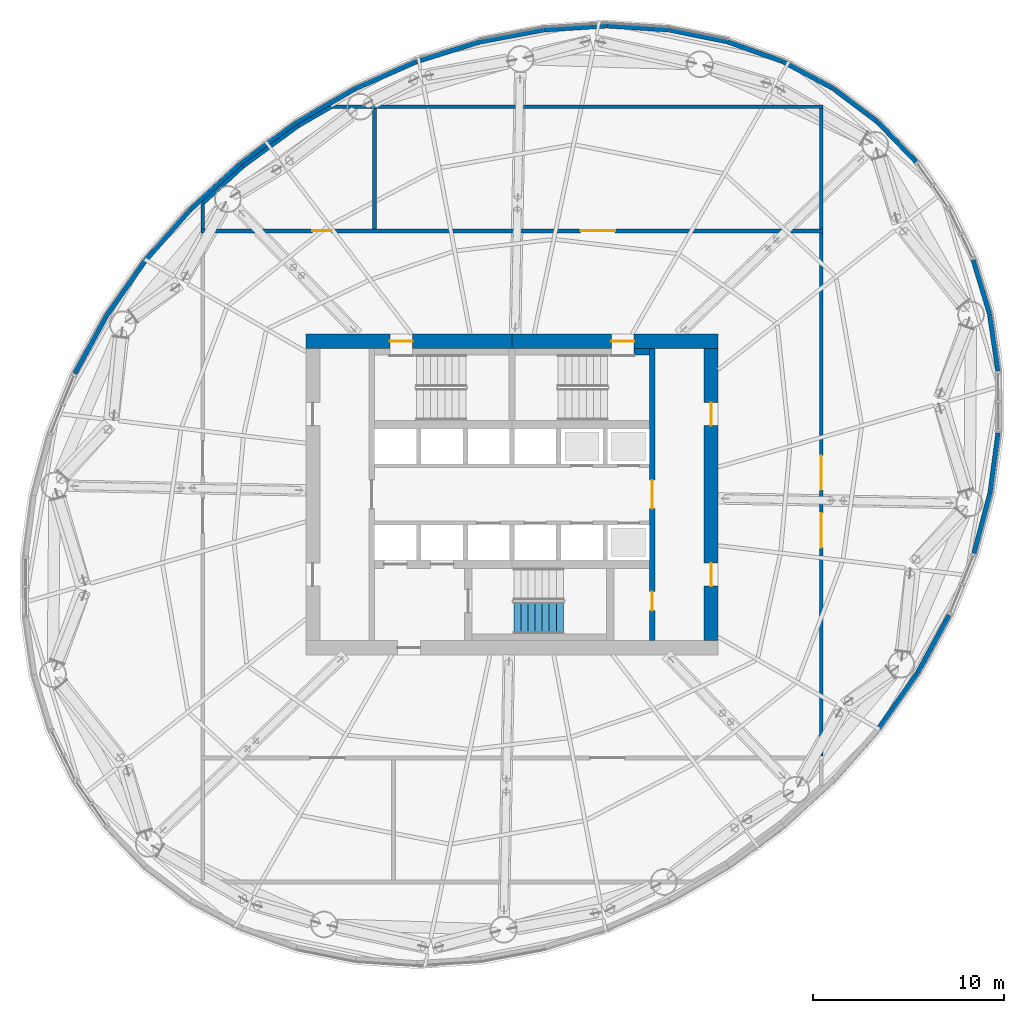
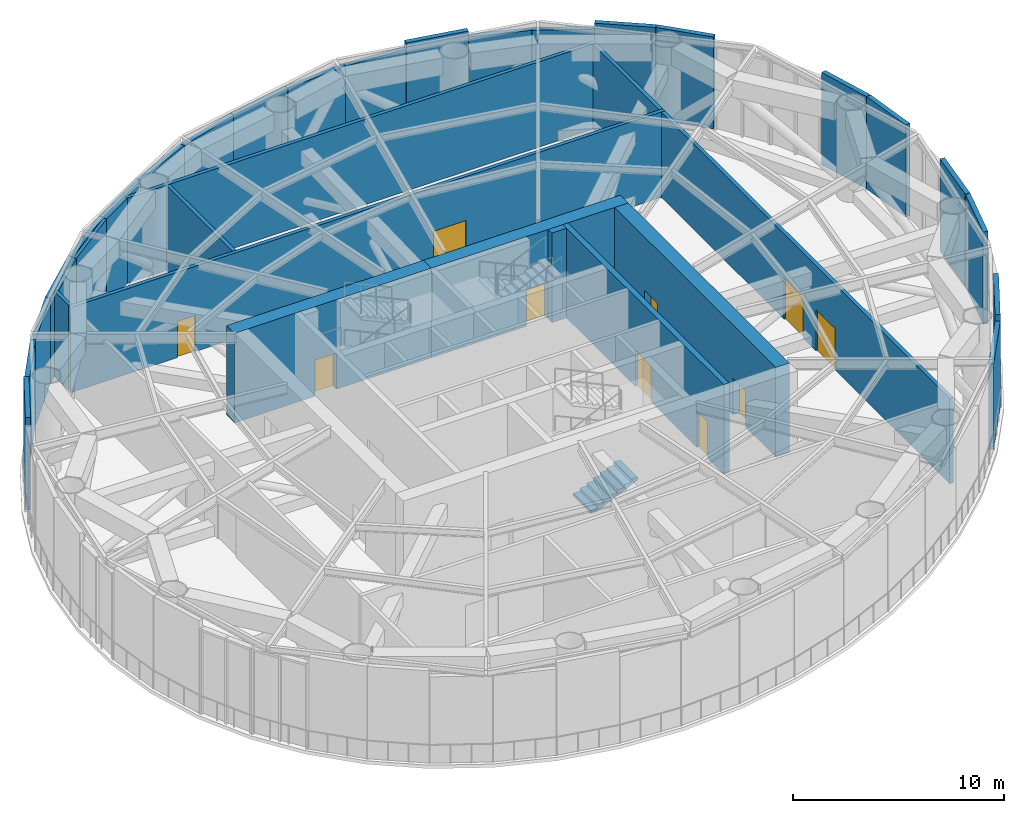
# One storey, part 9 of 19: 36 walls, 10 doors, 1 stair flight, 10 openings, 1 element without a shape of its own.
"""IFC4 building model written with IfcOpenShell, lengths in metres."""

from ifc_helpers import new_model, si_unit, direction, frame, frame_2d, origin, place, context, subcontext, project, spatial, polyline, rectangle, outline, extrude, material, layer, layer_set, type_object, element, fill, aggregate, save


model = new_model("IFC4")

# Units and contexts
model_context = context("Model", 3, precision=1e-05, world=origin(), true_north=direction((0.0, 1.0)))
body_context = subcontext(model_context, "Body", "Model", "MODEL_VIEW")
ifc_project = project(units=[si_unit("LENGTHUNIT", "METRE"), si_unit("AREAUNIT", "SQUARE_METRE"), si_unit("VOLUMEUNIT", "CUBIC_METRE"), si_unit("PLANEANGLEUNIT", "RADIAN"), si_unit("MASSUNIT", "GRAM", prefix="KILO")], contexts=[model_context])

# Site, building, storey
site_placement = place(None, origin())
site = spatial("IfcSite", under=ifc_project, at=site_placement, CompositionType="ELEMENT")
building_placement = place(site_placement, origin())
building = spatial("IfcBuilding", under=site, at=building_placement, Name="Vermilion Reach Broadcast Tower", CompositionType="ELEMENT")
storey_placement = place(building_placement, frame((0.0, 0.0, 190.199951171875)))
storey = spatial("IfcBuildingStorey", under=building, at=storey_placement, Name="L46", CompositionType="ELEMENT", Elevation=190.199951171875)

# Wall, openings, doors
ifc_material_1 = material(Name="Concrete C60", Category="concrete")
ifc_layer_1 = layer(ifc_material_1, 0.300048828125)
ifc_layer_set_1 = layer_set([ifc_layer_1], Name="Core inner wall 300 mm Concrete C60")
wall_type_1 = type_object("IfcWallType", Name="Core inner wall 300 mm Concrete C60", PredefinedType="SHEAR", material=ifc_layer_set_1)
wall_1_placement = place(storey_placement, frame((1.35009765625, -7.64990234375, 0.0), z_axis=(0.0, 0.0, 1.0), x_axis=(0.0, 1.0, 0.0)))
wall_1 = element("IfcWall", 1, at=wall_1_placement, inside=storey, type_object=wall_type_1, Name="L46 core wall ewE", PredefinedType="SHEAR", context=body_context, shape_type="SweptSolid", body=[
    extrude(rectangle(XDim=15.2998046875, YDim=0.300048828125, at=frame_2d((7.64990234375, 0.0))), origin(), (0.0, 0.0, 1.0), 5.199951171875),
])
opening_1_placement = place(wall_1_placement, frame((1.56005859375, 0.0, 0.0)))
opening_1 = element("IfcOpeningElement", 2, at=opening_1_placement, cuts=wall_1, Name="Opening D05", PredefinedType="OPENING", context=body_context, shape_type="SweptSolid", body=[
    extrude(rectangle(XDim=1.0, YDim=2.10009765625, at=frame_2d((0.5, 1.050048828125))), frame((0.0, 0.159912109375, 0.0), z_axis=(0.0, -1.0, 0.0), x_axis=(1.0, 0.0, 0.0)), (0.0, 0.0, 1.0), 0.320068359375),
])
opening_2_placement = place(wall_1_placement, frame((6.89990234375, 0.0, 0.0)))
opening_2 = element("IfcOpeningElement", 3, at=opening_2_placement, cuts=wall_1, Name="Opening D04", PredefinedType="OPENING", context=body_context, shape_type="SweptSolid", body=[
    extrude(rectangle(XDim=1.5, YDim=2.10009765625, at=frame_2d((0.75, 1.050048828125))), frame((0.0, 0.159912109375, 0.0), z_axis=(0.0, -1.0, 0.0), x_axis=(1.0, 0.0, 0.0)), (0.0, 0.0, 1.0), 0.320068359375),
])
ifc_material_2 = material(Name="Painted steel fire door", Category="steel")
door_type_1 = type_object("IfcDoorType", Name="Lift lobby door 1500 x 2100", OperationType="DOUBLE_DOOR_SINGLE_SWING", PredefinedType="NOTDEFINED", material=ifc_material_2)
door_1_placement = place(opening_2_placement, origin())
door_1 = element("IfcDoor", 4, at=door_1_placement, inside=storey, type_object=door_type_1, Name="L46 band door BE", OperationType="DOUBLE_DOOR_SINGLE_SWING", OverallHeight=2.10009765625, OverallWidth=1.5, PredefinedType="NOTDEFINED", context=body_context, shape_type="SweptSolid", body=[
    extrude(rectangle(XDim=1.5, YDim=2.10009765625, at=frame_2d((0.75, 1.050048828125))), frame((0.0, 0.02490234375, 0.0), z_axis=(0.0, -1.0, 0.0), x_axis=(1.0, 0.0, 0.0)), (0.0, 0.0, 1.0), 0.050048828125),
])
fill(opening_2, door_1)
ifc_material_3 = material(Name="Timber door", Category="wood")
door_type_2 = type_object("IfcDoorType", Name="Room door 1000 x 2100", OperationType="NOTDEFINED", PredefinedType="NOTDEFINED", material=ifc_material_3)
door_2_placement = place(opening_1_placement, origin())
door_2 = element("IfcDoor", 5, at=door_2_placement, inside=storey, type_object=door_type_2, Name="L46 door SER", OperationType="SINGLE_SWING_LEFT", OverallHeight=2.10009765625, OverallWidth=1.0, PredefinedType="NOTDEFINED", context=body_context, shape_type="SweptSolid", body=[
    extrude(rectangle(XDim=1.0, YDim=2.10009765625, at=frame_2d((0.5, 1.050048828125))), frame((0.0, 0.02490234375, 0.0), z_axis=(0.0, -1.0, 0.0), x_axis=(1.0, 0.0, 0.0)), (0.0, 0.0, 1.0), 0.050048828125),
])
fill(opening_1, door_2)

# Wall, opening, door
ifc_material_4 = material(Name="Concrete C60", Category="concrete")
ifc_layer_2 = layer(ifc_material_4, 0.75)
ifc_layer_set_2 = layer_set([ifc_layer_2], Name="Core outer wall 750 mm Concrete C60")
wall_type_2 = type_object("IfcWallType", Name="Core outer wall 750 mm Concrete C60", PredefinedType="SHEAR", material=ifc_layer_set_2)
wall_2_placement = place(storey_placement, frame((4.800048828125, 8.02490234375, 0.0), z_axis=(0.0, 0.0, 1.0), x_axis=(-1.0, 0.0, 0.0)))
wall_2 = element("IfcWall", 6, at=wall_2_placement, inside=storey, type_object=wall_type_2, Name="L46 core wall onE", PredefinedType="SHEAR", context=body_context, shape_type="SweptSolid", body=[
    extrude(rectangle(XDim=10.800048828125, YDim=0.75, at=frame_2d((5.39990234375, 0.0))), origin(), (0.0, 0.0, 1.0), 5.199951171875),
])
opening_3_placement = place(wall_2_placement, frame((4.39990234375, 0.0, 0.0)))
opening_3 = element("IfcOpeningElement", 7, at=opening_3_placement, cuts=wall_2, Name="Opening D01", PredefinedType="OPENING", context=body_context, shape_type="SweptSolid", body=[
    extrude(rectangle(XDim=1.199951171875, YDim=2.10009765625, at=frame_2d((0.60009765625, 1.050048828125))), frame((0.0, 0.385009765625, 0.0), z_axis=(0.0, -1.0, 0.0), x_axis=(1.0, 0.0, 0.0)), (0.0, 0.0, 1.0), 0.77001953125),
])
ifc_material_5 = material(Name="Painted steel fire door", Category="steel")
door_type_3 = type_object("IfcDoorType", Name="Stair door 1200 x 2100", OperationType="DOUBLE_DOOR_SINGLE_SWING", PredefinedType="NOTDEFINED", material=ifc_material_5)
door_3_placement = place(opening_3_placement, origin())
door_3 = element("IfcDoor", 8, at=door_3_placement, inside=storey, type_object=door_type_3, Name="L46 stair door ST2", OperationType="DOUBLE_DOOR_SINGLE_SWING", OverallHeight=2.10009765625, OverallWidth=1.199951171875, PredefinedType="NOTDEFINED", context=body_context, shape_type="SweptSolid", body=[
    extrude(rectangle(XDim=1.199951171875, YDim=2.10009765625, at=frame_2d((0.60009765625, 1.050048828125))), frame((0.0, 0.02490234375, 0.0), z_axis=(0.0, -1.0, 0.0), x_axis=(1.0, 0.0, 0.0)), (0.0, 0.0, 1.0), 0.050048828125),
])
fill(opening_3, door_3)

wall_3_placement = place(storey_placement, frame((-6.0, 8.02490234375, 0.0), z_axis=(0.0, 0.0, 1.0), x_axis=(-1.0, 0.0, 0.0)))
wall_3 = element("IfcWall", 9, at=wall_3_placement, inside=storey, type_object=wall_type_2, Name="L46 core wall onW", PredefinedType="SHEAR", context=body_context, shape_type="SweptSolid", body=[
    extrude(rectangle(XDim=10.800048828125, YDim=0.75, at=frame_2d((5.39990234375, 0.0))), origin(), (0.0, 0.0, 1.0), 5.199951171875),
])
opening_4_placement = place(wall_3_placement, frame((5.199951171875, 0.0, 0.0)))
opening_4 = element("IfcOpeningElement", 10, at=opening_4_placement, cuts=wall_3, Name="Opening D01", PredefinedType="OPENING", context=body_context, shape_type="SweptSolid", body=[
    extrude(rectangle(XDim=1.199951171875, YDim=2.10009765625, at=frame_2d((0.60009765625, 1.050048828125))), frame((0.0, 0.385009765625, 0.0), z_axis=(0.0, -1.0, 0.0), x_axis=(1.0, 0.0, 0.0)), (0.0, 0.0, 1.0), 0.77001953125),
])
door_4_placement = place(opening_4_placement, origin())
door_4 = element("IfcDoor", 11, at=door_4_placement, inside=storey, type_object=door_type_3, Name="L46 stair door ST1", OperationType="DOUBLE_DOOR_SINGLE_SWING", OverallHeight=2.10009765625, OverallWidth=1.199951171875, PredefinedType="NOTDEFINED", context=body_context, shape_type="SweptSolid", body=[
    extrude(rectangle(XDim=1.199951171875, YDim=2.10009765625, at=frame_2d((0.60009765625, 1.050048828125))), frame((0.0, 0.02490234375, 0.0), z_axis=(0.0, -1.0, 0.0), x_axis=(1.0, 0.0, 0.0)), (0.0, 0.0, 1.0), 0.050048828125),
])
fill(opening_4, door_4)

# Wall, openings, doors
wall_4_placement = place(storey_placement, frame((4.425048828125, -7.64990234375, 0.0), z_axis=(0.0, 0.0, 1.0), x_axis=(0.0, 1.0, 0.0)))
wall_4 = element("IfcWall", 12, at=wall_4_placement, inside=storey, type_object=wall_type_2, Name="L46 core wall oe", PredefinedType="SHEAR", context=body_context, shape_type="SweptSolid", body=[
    extrude(rectangle(XDim=15.2998046875, YDim=0.75, at=frame_2d((7.64990234375, 0.0))), origin(), (0.0, 0.0, 1.0), 5.199951171875),
])
opening_5_placement = place(wall_4_placement, frame((2.85009765625, 0.0, 0.0)))
opening_5 = element("IfcOpeningElement", 13, at=opening_5_placement, cuts=wall_4, Name="Opening D03", PredefinedType="OPENING", context=body_context, shape_type="SweptSolid", body=[
    extrude(rectangle(XDim=1.199951171875, YDim=2.10009765625, at=frame_2d((0.60009765625, 1.050048828125))), frame((0.0, 0.385009765625, 0.0), z_axis=(0.0, -1.0, 0.0), x_axis=(1.0, 0.0, 0.0)), (0.0, 0.0, 1.0), 0.77001953125),
])
opening_6_placement = place(wall_4_placement, frame((11.25, 0.0, 0.0)))
opening_6 = element("IfcOpeningElement", 14, at=opening_6_placement, cuts=wall_4, Name="Opening D03", PredefinedType="OPENING", context=body_context, shape_type="SweptSolid", body=[
    extrude(rectangle(XDim=1.199951171875, YDim=2.10009765625, at=frame_2d((0.60009765625, 1.050048828125))), frame((0.0, 0.385009765625, 0.0), z_axis=(0.0, -1.0, 0.0), x_axis=(1.0, 0.0, 0.0)), (0.0, 0.0, 1.0), 0.77001953125),
])
ifc_material_6 = material(Name="Painted steel fire door", Category="steel")
door_type_4 = type_object("IfcDoorType", Name="Core lobby door 1200 x 2100", OperationType="DOUBLE_DOOR_SINGLE_SWING", PredefinedType="NOTDEFINED", material=ifc_material_6)
door_5_placement = place(opening_5_placement, origin())
door_5 = element("IfcDoor", 15, at=door_5_placement, inside=storey, type_object=door_type_4, Name="L46 slot door E0", OperationType="DOUBLE_DOOR_SINGLE_SWING", OverallHeight=2.10009765625, OverallWidth=1.199951171875, PredefinedType="NOTDEFINED", context=body_context, shape_type="SweptSolid", body=[
    extrude(rectangle(XDim=1.199951171875, YDim=2.10009765625, at=frame_2d((0.60009765625, 1.050048828125))), frame((0.0, 0.02490234375, 0.0), z_axis=(0.0, -1.0, 0.0), x_axis=(1.0, 0.0, 0.0)), (0.0, 0.0, 1.0), 0.050048828125),
])
fill(opening_5, door_5)
door_6_placement = place(opening_6_placement, origin())
door_6 = element("IfcDoor", 16, at=door_6_placement, inside=storey, type_object=door_type_4, Name="L46 slot door E1", OperationType="DOUBLE_DOOR_SINGLE_SWING", OverallHeight=2.10009765625, OverallWidth=1.199951171875, PredefinedType="NOTDEFINED", context=body_context, shape_type="SweptSolid", body=[
    extrude(rectangle(XDim=1.199951171875, YDim=2.10009765625, at=frame_2d((0.60009765625, 1.050048828125))), frame((0.0, 0.02490234375, 0.0), z_axis=(0.0, -1.0, 0.0), x_axis=(1.0, 0.0, 0.0)), (0.0, 0.0, 1.0), 0.050048828125),
])
fill(opening_6, door_6)

# Wall
ifc_material_7 = material(Name="Concrete C60", Category="concrete")
ifc_layer_3 = layer(ifc_material_7, 0.35009765625)
ifc_layer_set_3 = layer_set([ifc_layer_3], Name="Core stair wall 350 mm Concrete C60")
wall_type_3 = type_object("IfcWallType", Name="Core stair wall 350 mm Concrete C60", PredefinedType="SHEAR", material=ifc_layer_set_3)
wall_5_placement = place(storey_placement, frame((0.39990234375, 7.47509765625, 0.0), z_axis=(0.0, 0.0, 1.0), x_axis=(1.0, 0.0, 0.0)))
element("IfcWall", 17, at=wall_5_placement, inside=storey, type_object=wall_type_3, Name="L46 core wall l2b", PredefinedType="SHEAR", context=body_context, shape_type="SweptSolid", body=[
    extrude(rectangle(XDim=0.800048828125, YDim=0.35009765625, at=frame_2d((0.39990234375, 0.0))), origin(), (0.0, 0.0, 1.0), 5.199951171875),
])

# Wall, openings, doors
ifc_material_8 = material(Name="Gypsum board shaft wall")
ifc_layer_4 = layer(ifc_material_8, 0.199951171875)
ifc_layer_set_4 = layer_set([ifc_layer_4], Name="Plant room wall 200")
wall_type_4 = type_object("IfcWallType", Name="Plant room wall 200", PredefinedType="PARTITIONING", material=ifc_layer_set_4)
wall_6_placement = place(storey_placement, frame((10.300048828125, 13.800048828125, 0.0), z_axis=(0.0, 0.0, 1.0), x_axis=(-1.0, 0.0, 0.0)))
wall_6 = element("IfcWall", 18, at=wall_6_placement, inside=storey, type_object=wall_type_4, Name="sp.wall.L46.000", PredefinedType="PARTITIONING", context=body_context, shape_type="SweptSolid", body=[
    extrude(rectangle(XDim=32.60009765625, YDim=0.199951171875, at=frame_2d((16.300048828125, 0.0))), origin(), (0.0, 0.0, 1.0), 4.949951171875),
])
opening_7_placement = place(wall_6_placement, frame((25.749755859375, 0.0, 0.0)))
opening_7 = element("IfcOpeningElement", 19, at=opening_7_placement, cuts=wall_6, Name="Opening D54", PredefinedType="OPENING", context=body_context, shape_type="SweptSolid", body=[
    extrude(rectangle(XDim=1.0, YDim=2.10009765625, at=frame_2d((0.5, 1.050048828125))), frame((0.0, 0.10986328125, 0.0), z_axis=(0.0, -1.0, 0.0), x_axis=(1.0, 0.0, 0.0)), (0.0, 0.0, 1.0), 0.219970703125),
])
opening_8_placement = place(wall_6_placement, frame((10.900146484375, 0.0, 0.0)))
opening_8 = element("IfcOpeningElement", 20, at=opening_8_placement, cuts=wall_6, Name="Opening D53", PredefinedType="OPENING", context=body_context, shape_type="SweptSolid", body=[
    extrude(rectangle(XDim=1.800048828125, YDim=2.39990234375, at=frame_2d((0.89990234375, 1.199951171875))), frame((0.0, 0.10986328125, 0.0), z_axis=(0.0, -1.0, 0.0), x_axis=(1.0, 0.0, 0.0)), (0.0, 0.0, 1.0), 0.219970703125),
])
ifc_material_9 = material(Name="Timber and steel door set", Category="steel")
door_type_5 = type_object("IfcDoorType", Name="Fire door 1000x2100", OperationType="NOTDEFINED", PredefinedType="DOOR", material=ifc_material_9)
door_7_placement = place(opening_7_placement, origin())
door_7 = element("IfcDoor", 21, at=door_7_placement, inside=storey, type_object=door_type_5, Name="sp.door.L46.000", OperationType="SINGLE_SWING_LEFT", OverallHeight=2.10009765625, OverallWidth=1.0, PredefinedType="DOOR", context=body_context, shape_type="SweptSolid", body=[
    extrude(rectangle(XDim=1.0, YDim=2.10009765625, at=frame_2d((0.5, 1.050048828125))), frame((0.0, 0.02490234375, 0.0), z_axis=(0.0, -1.0, 0.0), x_axis=(1.0, 0.0, 0.0)), (0.0, 0.0, 1.0), 0.050048828125),
])
fill(opening_7, door_7)
ifc_material_10 = material(Name="Timber and steel door set", Category="steel")
door_type_6 = type_object("IfcDoorType", Name="Plant double door 1800x2400", OperationType="NOTDEFINED", PredefinedType="DOOR", material=ifc_material_10)
door_8_placement = place(opening_8_placement, origin())
door_8 = element("IfcDoor", 22, at=door_8_placement, inside=storey, type_object=door_type_6, Name="sp.door.L46.001", OperationType="DOUBLE_DOOR_SINGLE_SWING", OverallHeight=2.39990234375, OverallWidth=1.800048828125, PredefinedType="DOOR", context=body_context, shape_type="SweptSolid", body=[
    extrude(rectangle(XDim=1.800048828125, YDim=2.39990234375, at=frame_2d((0.89990234375, 1.199951171875))), frame((0.0, 0.02490234375, 0.0), z_axis=(0.0, -1.0, 0.0), x_axis=(1.0, 0.0, 0.0)), (0.0, 0.0, 1.0), 0.050048828125),
])
fill(opening_8, door_8)

# Walls
wall_7_placement = place(storey_placement, frame((-13.199951171875, 13.89990234375, 0.0), z_axis=(0.0, 0.0, 1.0), x_axis=(0.0, 1.0, 0.0)))
element("IfcWall", 23, at=wall_7_placement, inside=storey, type_object=wall_type_4, Name="sp.wall.L46.004", PredefinedType="PARTITIONING", context=body_context, shape_type="SweptSolid", body=[
    extrude(rectangle(XDim=6.300048828125, YDim=0.199951171875, at=frame_2d((3.14990234375, 0.0))), origin(), (0.0, 0.0, 1.0), 4.949951171875),
])
wall_8_placement = place(storey_placement, frame((-15.452880859375, 20.300048828125, 0.0), z_axis=(0.0, 0.0, 1.0), x_axis=(1.0, 0.0, 0.0)))
element("IfcWall", 24, at=wall_8_placement, inside=storey, type_object=wall_type_4, Name="sp.wall.L46.005", PredefinedType="PARTITIONING", context=body_context, shape_type="SweptSolid", body=[
    extrude(rectangle(XDim=25.7529296875, YDim=0.199951171875, at=frame_2d((12.87646484375, 0.0))), origin(), (0.0, 0.0, 1.0), 4.949951171875),
])
wall_9_placement = place(storey_placement, frame((-22.199951171875, 13.89990234375, 0.0), z_axis=(0.0, 0.0, 1.0), x_axis=(0.0, 1.0, 0.0)))
element("IfcWall", 25, at=wall_9_placement, inside=storey, type_object=wall_type_4, Name="sp.wall.L46.007", PredefinedType="PARTITIONING", context=body_context, shape_type="SweptSolid", body=[
    extrude(rectangle(XDim=1.336669921875, YDim=0.199951171875, at=frame_2d((0.66845703125, 0.0))), origin(), (0.0, 0.0, 1.0), 4.949951171875),
])
wall_10_placement = place(storey_placement, frame((10.199951171875, 13.89990234375, 0.0), z_axis=(0.0, 0.0, 1.0), x_axis=(0.0, 1.0, 0.0)))
element("IfcWall", 26, at=wall_10_placement, inside=storey, type_object=wall_type_4, Name="sp.wall.L46.009", PredefinedType="PARTITIONING", context=body_context, shape_type="SweptSolid", body=[
    extrude(rectangle(XDim=6.300048828125, YDim=0.199951171875, at=frame_2d((3.14990234375, 0.0))), origin(), (0.0, 0.0, 1.0), 4.949951171875),
])
wall_11_placement = place(storey_placement, frame((-22.185302734375, 15.25, 0.0), z_axis=(0.0, 0.0, 1.0), x_axis=(0.738075353994, 0.674718290716, 0.0)))
element("IfcWall", 27, at=wall_11_placement, inside=storey, type_object=wall_type_4, Name="sp.wall.L46.012", PredefinedType="PARTITIONING", context=body_context, shape_type="SweptSolid", body=[
    extrude(rectangle(XDim=2.836181640625, YDim=0.199951171875, at=frame_2d((1.41796875, 0.0))), origin(), (0.0, 0.0, 1.0), 4.949951171875),
])
wall_12_placement = place(storey_placement, frame((-20.084228515625, 17.1708984375, 0.0), z_axis=(0.0, 0.0, 1.0), x_axis=(0.806082962998, 0.591802548798, 0.0)))
element("IfcWall", 28, at=wall_12_placement, inside=storey, type_object=wall_type_4, Name="sp.wall.L46.013", PredefinedType="PARTITIONING", context=body_context, shape_type="SweptSolid", body=[
    extrude(rectangle(XDim=3.568359375, YDim=0.199951171875, at=frame_2d((1.7841796875, 0.0))), origin(), (0.0, 0.0, 1.0), 4.949951171875),
])
wall_13_placement = place(storey_placement, frame((-17.1982421875, 19.2880859375, 0.0), z_axis=(0.0, 0.0, 1.0), x_axis=(0.865096957825, 0.501604678569, 0.0)))
element("IfcWall", 29, at=wall_13_placement, inside=storey, type_object=wall_type_4, Name="sp.wall.L46.014", PredefinedType="PARTITIONING", context=body_context, shape_type="SweptSolid", body=[
    extrude(rectangle(XDim=1.99755859375, YDim=0.199951171875, at=frame_2d((0.998779296875, 0.0))), origin(), (0.0, 0.0, 1.0), 4.949951171875),
])

# Wall, openings, doors
ifc_material_11 = material(Name="Gypsum board shaft wall")
ifc_layer_5 = layer(ifc_material_11, 0.199951171875)
ifc_layer_set_5 = layer_set([ifc_layer_5], Name="Refuge enclosure wall 200")
wall_type_5 = type_object("IfcWallType", Name="Refuge enclosure wall 200", PredefinedType="PARTITIONING", material=ifc_layer_set_5)
wall_14_placement = place(storey_placement, frame((10.199951171875, -13.699951171875, 0.0), z_axis=(0.0, 0.0, 1.0), x_axis=(0.0, 1.0, 0.0)))
wall_14 = element("IfcWall", 30, at=wall_14_placement, inside=storey, type_object=wall_type_5, Name="sp.wall.L46.002", PredefinedType="PARTITIONING", context=body_context, shape_type="SweptSolid", body=[
    extrude(rectangle(XDim=27.39990234375, YDim=0.199951171875, at=frame_2d((13.699951171875, 0.0))), origin(), (0.0, 0.0, 1.0), 4.949951171875),
])
opening_9_placement = place(wall_14_placement, frame((13.931640625, 0.0, 0.0)))
opening_9 = element("IfcOpeningElement", 31, at=opening_9_placement, cuts=wall_14, Name="Opening D56", PredefinedType="OPENING", context=body_context, shape_type="SweptSolid", body=[
    extrude(rectangle(XDim=1.800048828125, YDim=2.39990234375, at=frame_2d((0.89990234375, 1.199951171875))), frame((0.0, 0.10986328125, 0.0), z_axis=(0.0, -1.0, 0.0), x_axis=(1.0, 0.0, 0.0)), (0.0, 0.0, 1.0), 0.219970703125),
])
opening_10_placement = place(wall_14_placement, frame((10.913818359375, 0.0, 0.0)))
opening_10 = element("IfcOpeningElement", 32, at=opening_10_placement, cuts=wall_14, Name="Opening D56", PredefinedType="OPENING", context=body_context, shape_type="SweptSolid", body=[
    extrude(rectangle(XDim=1.800048828125, YDim=2.39990234375, at=frame_2d((0.89990234375, 1.199951171875))), frame((0.0, 0.10986328125, 0.0), z_axis=(0.0, -1.0, 0.0), x_axis=(1.0, 0.0, 0.0)), (0.0, 0.0, 1.0), 0.219970703125),
])
ifc_material_12 = material(Name="Timber and steel door set", Category="steel")
door_type_7 = type_object("IfcDoorType", Name="Fire door double 1800x2400", OperationType="NOTDEFINED", PredefinedType="DOOR", material=ifc_material_12)
door_9_placement = place(opening_9_placement, origin())
door_9 = element("IfcDoor", 33, at=door_9_placement, inside=storey, type_object=door_type_7, Name="sp.door.L46.004", OperationType="DOUBLE_DOOR_SINGLE_SWING", OverallHeight=2.39990234375, OverallWidth=1.800048828125, PredefinedType="DOOR", context=body_context, shape_type="SweptSolid", body=[
    extrude(rectangle(XDim=1.800048828125, YDim=2.39990234375, at=frame_2d((0.89990234375, 1.199951171875))), frame((0.0, 0.02490234375, 0.0), z_axis=(0.0, -1.0, 0.0), x_axis=(1.0, 0.0, 0.0)), (0.0, 0.0, 1.0), 0.050048828125),
])
fill(opening_9, door_9)
door_10_placement = place(opening_10_placement, origin())
door_10 = element("IfcDoor", 34, at=door_10_placement, inside=storey, type_object=door_type_7, Name="sp.door.L46.005", OperationType="DOUBLE_DOOR_SINGLE_SWING", OverallHeight=2.39990234375, OverallWidth=1.800048828125, PredefinedType="DOOR", context=body_context, shape_type="SweptSolid", body=[
    extrude(rectangle(XDim=1.800048828125, YDim=2.39990234375, at=frame_2d((0.89990234375, 1.199951171875))), frame((0.0, 0.02490234375, 0.0), z_axis=(0.0, -1.0, 0.0), x_axis=(1.0, 0.0, 0.0)), (0.0, 0.0, 1.0), 0.050048828125),
])
fill(opening_10, door_10)

# Walls
ifc_material_13 = material(Name="Terracotta rainscreen cladding", Category="masonry")
ifc_layer_6 = layer(ifc_material_13, 0.25)
ifc_layer_set_6 = layer_set([ifc_layer_6], Name="Terracotta rainscreen wall 250")
wall_type_6 = type_object("IfcWallType", Name="Terracotta rainscreen wall 250", PredefinedType="SOLIDWALL", material=ifc_layer_set_6)
wall_15_placement = place(storey_placement, frame((15.156494140625, 17.42431640625, 0.0), z_axis=(0.0, 0.0, 1.0), x_axis=(-0.693823952471, 0.720144654203, 0.0)))
element("IfcWall", 35, at=wall_15_placement, inside=storey, type_object=wall_type_6, Name="Sky lobby wall L46 00", PredefinedType="SOLIDWALL", context=body_context, shape_type="SweptSolid", body=[
    extrude(rectangle(XDim=2.85693359375, YDim=0.25, at=frame_2d((1.428466796875, 0.0))), origin(), (0.0, 0.0, 1.0), 5.35009765625),
])
wall_16_placement = place(storey_placement, frame((13.153564453125, 19.500244140625, 0.0), z_axis=(0.0, 0.0, 1.0), x_axis=(-0.798715416711, 0.601708968779, 0.0)))
element("IfcWall", 36, at=wall_16_placement, inside=storey, type_object=wall_type_6, Name="Sky lobby wall L46 01", PredefinedType="SOLIDWALL", context=body_context, shape_type="SweptSolid", body=[
    extrude(rectangle(XDim=2.92333984375, YDim=0.25, at=frame_2d((1.461669921875, 0.0))), origin(), (0.0, 0.0, 1.0), 5.35009765625),
])
wall_17_placement = place(storey_placement, frame((5.262451171875, 23.712890625, 0.0), z_axis=(0.0, 0.0, 1.0), x_axis=(-0.980126614291, 0.198372931515, 0.0)))
element("IfcWall", 37, at=wall_17_placement, inside=storey, type_object=wall_type_6, Name="Sky lobby wall L46 04", PredefinedType="SOLIDWALL", context=body_context, shape_type="SweptSolid", body=[
    extrude(rectangle(XDim=3.119873046875, YDim=0.25, at=frame_2d((1.56005859375, 0.0))), origin(), (0.0, 0.0, 1.0), 5.35009765625),
])
for number, where, z_axis, x_axis, name in (
    (38, (-27.255615234375, 9.32763671875, 0.0), (0.0, 0.0, 1.0), (-0.47928896771, -0.877657157113, 0.0), "Sky lobby wall L46 15"),
    (39, (15.255615234375, -9.32763671875, 0.0), (0.0, 0.0, 1.0), (0.47928896771, 0.877657157113, 0.0), "Sky lobby wall L46 39"),
):
    element("IfcWall", number, at=place(storey_placement, frame(where, z_axis=z_axis, x_axis=x_axis)), inside=storey, type_object=wall_type_6, Name=name, PredefinedType="SOLIDWALL", context=body_context, shape_type="SweptSolid", body=[
        extrude(rectangle(XDim=3.40625, YDim=0.25, at=frame_2d((1.703125, 0.0))), origin(), (0.0, 0.0, 1.0), 5.35009765625),
    ])
wall_18_placement = place(storey_placement, frame((18.198974609375, -3.08251953125, 0.0), z_axis=(0.0, 0.0, 1.0), x_axis=(0.257751437644, 0.966211258676, 0.0)))
element("IfcWall", 40, at=wall_18_placement, inside=storey, type_object=wall_type_6, Name="Sky lobby wall L46 41", PredefinedType="SOLIDWALL", context=body_context, shape_type="SweptSolid", body=[
    extrude(rectangle(XDim=3.251708984375, YDim=0.25, at=frame_2d((1.6259765625, 0.0))), origin(), (0.0, 0.0, 1.0), 5.35009765625),
])
wall_19_placement = place(storey_placement, frame((19.0419921875, 0.082763671875, 0.0), z_axis=(0.0, 0.0, 1.0), x_axis=(0.13192115827, 0.991260212054, 0.0)))
element("IfcWall", 41, at=wall_19_placement, inside=storey, type_object=wall_type_6, Name="Sky lobby wall L46 42", PredefinedType="SOLIDWALL", context=body_context, shape_type="SweptSolid", body=[
    extrude(rectangle(XDim=3.16455078125, YDim=0.25, at=frame_2d((1.582275390625, 0.0))), origin(), (0.0, 0.0, 1.0), 5.35009765625),
])
wall_20_placement = place(storey_placement, frame((19.44970703125, 6.473876953125, 0.0), z_axis=(0.0, 0.0, 1.0), x_axis=(-0.144659139675, 0.989481547735, 0.0)))
element("IfcWall", 42, at=wall_20_placement, inside=storey, type_object=wall_type_6, Name="Sky lobby wall L46 44", PredefinedType="SOLIDWALL", context=body_context, shape_type="SweptSolid", body=[
    extrude(rectangle(XDim=2.997314453125, YDim=0.25, at=frame_2d((1.49853515625, 0.0))), origin(), (0.0, 0.0, 1.0), 5.35009765625),
])
wall_21_placement = place(storey_placement, frame((19.01025390625, 9.465576171875, 0.0), z_axis=(0.0, 0.0, 1.0), x_axis=(-0.289968091903, 0.957036313667, 0.0)))
element("IfcWall", 43, at=wall_21_placement, inside=storey, type_object=wall_type_6, Name="Sky lobby wall L46 45", PredefinedType="SOLIDWALL", context=body_context, shape_type="SweptSolid", body=[
    extrude(rectangle(XDim=2.930908203125, YDim=0.25, at=frame_2d((1.46533203125, 0.0))), origin(), (0.0, 0.0, 1.0), 5.35009765625),
])
ifc_material_14 = material(Name="Terracotta rainscreen cladding", Category="masonry")
ifc_layer_7 = layer(ifc_material_14, 0.25)
ifc_layer_set_7 = layer_set([ifc_layer_7], Name="Terracotta rainscreen wall 250, head 350 below soffit")
wall_type_7 = type_object("IfcWallType", Name="Terracotta rainscreen wall 250, head 350 below soffit", PredefinedType="SOLIDWALL", material=ifc_layer_set_7)
wall_22_placement = place(storey_placement, frame((10.795654296875, 21.27392578125, 0.0), z_axis=(0.0, 0.0, 1.0), x_axis=(-0.881818008651, 0.471589863779, 0.0)))
element("IfcWall", 44, at=wall_22_placement, inside=storey, type_object=wall_type_7, Name="Sky lobby wall L46 02", PredefinedType="SOLIDWALL", context=body_context, shape_type="SweptSolid", body=[
    extrude(rectangle(XDim=2.97216796875, YDim=0.25, at=frame_2d((1.486083984375, 0.0))), origin(), (0.0, 0.0, 1.0), 5.0),
])
wall_23_placement = place(storey_placement, frame((8.150634765625, 22.686279296875, 0.0), z_axis=(0.0, 0.0, 1.0), x_axis=(-0.942061335215, 0.335440666427, 0.0)))
element("IfcWall", 45, at=wall_23_placement, inside=storey, type_object=wall_type_7, Name="Sky lobby wall L46 03", PredefinedType="SOLIDWALL", context=body_context, shape_type="SweptSolid", body=[
    extrude(rectangle(XDim=3.039306640625, YDim=0.25, at=frame_2d((1.51953125, 0.0))), origin(), (0.0, 0.0, 1.0), 5.0),
])
wall_24_placement = place(storey_placement, frame((2.179931640625, 24.335205078125, 0.0), z_axis=(0.0, 0.0, 1.0), x_axis=(-0.997919151324, 0.064477650558, 0.0)))
element("IfcWall", 46, at=wall_24_placement, inside=storey, type_object=wall_type_7, Name="Sky lobby wall L46 05", PredefinedType="SOLIDWALL", context=body_context, shape_type="SweptSolid", body=[
    extrude(rectangle(XDim=3.20703125, YDim=0.25, at=frame_2d((1.603515625, 0.0))), origin(), (0.0, 0.0, 1.0), 5.0),
])
wall_25_placement = place(storey_placement, frame((-1.04443359375, 24.5419921875, 0.0), z_axis=(0.0, 0.0, 1.0), x_axis=(-0.997963065433, -0.063794357364, 0.0)))
element("IfcWall", 47, at=wall_25_placement, inside=storey, type_object=wall_type_7, Name="Sky lobby wall L46 06", PredefinedType="SOLIDWALL", context=body_context, shape_type="SweptSolid", body=[
    extrude(rectangle(XDim=3.294921875, YDim=0.25, at=frame_2d((1.6474609375, 0.0))), origin(), (0.0, 0.0, 1.0), 5.0),
])
wall_26_placement = place(storey_placement, frame((-4.355712890625, 24.328857421875, 0.0), z_axis=(0.0, 0.0, 1.0), x_axis=(-0.982744298633, -0.184969304222, 0.0)))
element("IfcWall", 48, at=wall_26_placement, inside=storey, type_object=wall_type_7, Name="Sky lobby wall L46 07", PredefinedType="SOLIDWALL", context=body_context, shape_type="SweptSolid", body=[
    extrude(rectangle(XDim=3.377685546875, YDim=0.25, at=frame_2d((1.68896484375, 0.0))), origin(), (0.0, 0.0, 1.0), 5.0),
])
wall_27_placement = place(storey_placement, frame((-7.697021484375, 23.69873046875, 0.0), z_axis=(0.0, 0.0, 1.0), x_axis=(-0.954473681568, -0.298295141085, 0.0)))
element("IfcWall", 49, at=wall_27_placement, inside=storey, type_object=wall_type_7, Name="Sky lobby wall L46 08", PredefinedType="SOLIDWALL", context=body_context, shape_type="SweptSolid", body=[
    extrude(rectangle(XDim=3.44970703125, YDim=0.25, at=frame_2d((1.724853515625, 0.0))), origin(), (0.0, 0.0, 1.0), 5.0),
])
wall_28_placement = place(storey_placement, frame((-11.01025390625, 22.661865234375, 0.0), z_axis=(0.0, 0.0, 1.0), x_axis=(-0.914847485541, -0.403799552005, 0.0)))
element("IfcWall", 50, at=wall_28_placement, inside=storey, type_object=wall_type_7, Name="Sky lobby wall L46 09", PredefinedType="SOLIDWALL", context=body_context, shape_type="SweptSolid", body=[
    extrude(rectangle(XDim=3.508056640625, YDim=0.25, at=frame_2d((1.75390625, 0.0))), origin(), (0.0, 0.0, 1.0), 5.0),
])
wall_29_placement = place(storey_placement, frame((-14.23876953125, 21.235595703125, 0.0), z_axis=(0.0, 0.0, 1.0), x_axis=(-0.865113604566, -0.501575967521, 0.0)))
element("IfcWall", 51, at=wall_29_placement, inside=storey, type_object=wall_type_7, Name="Sky lobby wall L46 10", PredefinedType="SOLIDWALL", context=body_context, shape_type="SweptSolid", body=[
    extrude(rectangle(XDim=3.5478515625, YDim=0.25, at=frame_2d((1.77392578125, 0.0))), origin(), (0.0, 0.0, 1.0), 5.0),
])
wall_30_placement = place(storey_placement, frame((-17.326171875, 19.4443359375, 0.0), z_axis=(0.0, 0.0, 1.0), x_axis=(-0.806074287732, -0.591814365032, 0.0)))
element("IfcWall", 52, at=wall_30_placement, inside=storey, type_object=wall_type_7, Name="Sky lobby wall L46 11", PredefinedType="SOLIDWALL", context=body_context, shape_type="SweptSolid", body=[
    extrude(rectangle(XDim=3.56884765625, YDim=0.25, at=frame_2d((1.784423828125, 0.0))), origin(), (0.0, 0.0, 1.0), 5.0),
])
wall_31_placement = place(storey_placement, frame((-20.219482421875, 17.31884765625, 0.0), z_axis=(0.0, 0.0, 1.0), x_axis=(-0.738039519503, -0.674757488029, 0.0)))
element("IfcWall", 53, at=wall_31_placement, inside=storey, type_object=wall_type_7, Name="Sky lobby wall L46 12", PredefinedType="SOLIDWALL", context=body_context, shape_type="SweptSolid", body=[
    extrude(rectangle(XDim=3.568603515625, YDim=0.25, at=frame_2d((1.7841796875, 0.0))), origin(), (0.0, 0.0, 1.0), 5.0),
])
wall_32_placement = place(storey_placement, frame((-22.868408203125, 14.8955078125, 0.0), z_axis=(0.0, 0.0, 1.0), x_axis=(-0.661072975462, -0.750321611787, 0.0)))
element("IfcWall", 54, at=wall_32_placement, inside=storey, type_object=wall_type_7, Name="Sky lobby wall L46 13", PredefinedType="SOLIDWALL", context=body_context, shape_type="SweptSolid", body=[
    extrude(rectangle(XDim=3.5478515625, YDim=0.25, at=frame_2d((1.77392578125, 0.0))), origin(), (0.0, 0.0, 1.0), 5.0),
])
for number, where, z_axis, x_axis, name in (
    (55, (-25.227294921875, 12.21630859375, 0.0), (0.0, 0.0, 1.0), (-0.574979517235, -0.818167803547, 0.0), "Sky lobby wall L46 14"),
    (56, (13.227294921875, -12.21630859375, 0.0), (0.0, 0.0, 1.0), (0.574979517235, 0.818167803547, 0.0), "Sky lobby wall L46 38"),
):
    element("IfcWall", number, at=place(storey_placement, frame(where, z_axis=z_axis, x_axis=x_axis)), inside=storey, type_object=wall_type_7, Name=name, PredefinedType="SOLIDWALL", context=body_context, shape_type="SweptSolid", body=[
        extrude(rectangle(XDim=3.507568359375, YDim=0.25, at=frame_2d((1.75390625, 0.0))), origin(), (0.0, 0.0, 1.0), 5.0),
    ])

# Stair, stair flight
ifc_material_15 = material(Name="Concrete C40", Category="concrete")
stair_type = type_object("IfcStairType", Name="Exit stair RC 32 risers 172 mm", PredefinedType="HALF_TURN_STAIR", material=ifc_material_15)
stair_placement = place(storey_placement, origin())
stair = element("IfcStair", 57, at=stair_placement, inside=storey, type_object=stair_type, Name="L46 Exit stair ST3", PredefinedType="HALF_TURN_STAIR")
ifc_material_16 = material(Name="Concrete C40", Category="concrete")
stair_flight_type = type_object("IfcStairFlightType", Name="Exit stair flight RC 8 risers", PredefinedType="STRAIGHT", material=ifc_material_16)
stair_flight_placement = place(storey_placement, frame((-5.89990234375, -6.469970703125, 0.0), z_axis=(0.0, 0.0, 1.0), x_axis=(1.0, 0.0, 0.0)))
stair_flight = element("IfcStairFlight", 58, at=stair_flight_placement, type_object=stair_flight_type, Name="ST3 flight 1", NumberOfRisers=8, NumberOfTreads=7, PredefinedType="STRAIGHT", RiserHeight=0.171875, TreadLength=0.37, context=body_context, shape_type="SweptSolid", body=[
    extrude(outline(polyline([(0.0, 0.0), (0.0, 0.171875), (0.3701171875, 0.171875), (0.3701171875, 0.34375), (0.739990234375, 0.34375), (0.739990234375, 0.515625), (1.110107421875, 0.515625), (1.110107421875, 0.6875), (1.47998046875, 0.6875), (1.47998046875, 0.859375), (1.85009765625, 0.859375), (1.85009765625, 1.03125), (2.219970703125, 1.03125), (2.219970703125, 1.203125), (2.590087890625, 1.203125), (2.590087890625, 1.375), (2.590087890625, 1.037841796875), (0.355712890625, 0.0), (0.0, 0.0)])), frame((0.0, 0.830078125, 0.0), z_axis=(0.0, -1.0, 0.0), x_axis=(1.0, 0.0, 0.0)), (0.0, 0.0, 1.0), 1.659912109375),
])
aggregate(stair, [stair_flight])

save(model, "model.ifc")
